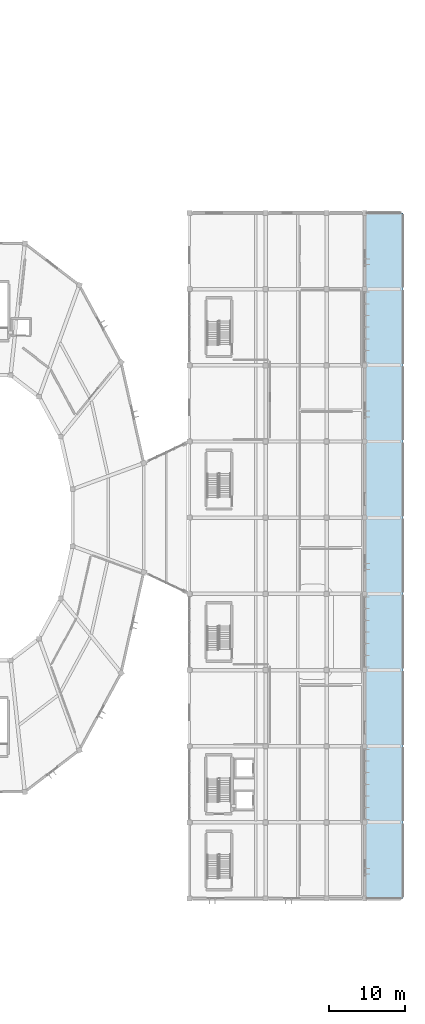
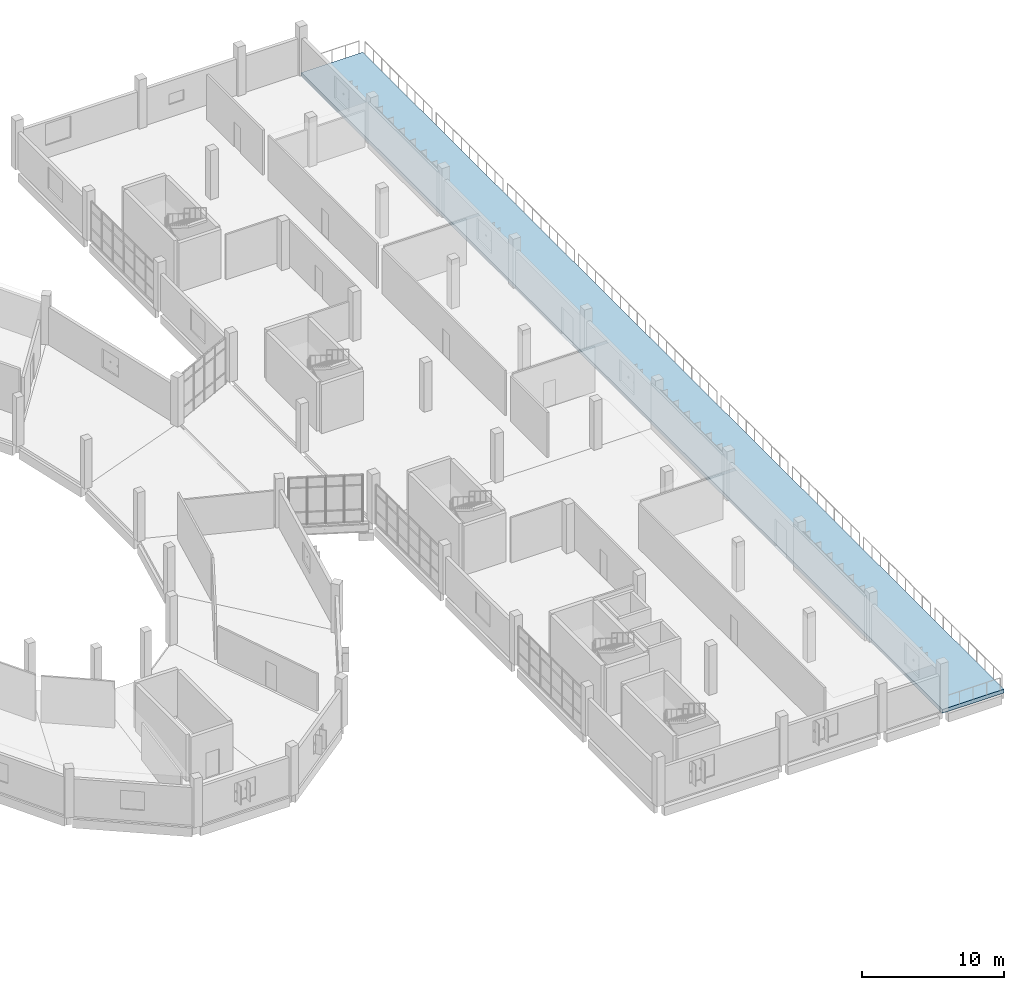
# One storey, part 89 of 142: 1 slab.
"""IFC4 building model written with IfcOpenShell, lengths in metres."""

from ifc_helpers import new_model, si_unit, direction, frame, origin, place, context, subcontext, project, spatial, polyline, outline, extrude, material, layer, layer_set, type_object, element, save


model = new_model("IFC4")

# Units and contexts
model_context = context("Model", 3, precision=1e-05, world=origin(), true_north=direction((0.0, 1.0)))
body_context = subcontext(model_context, "Body", "Model", "MODEL_VIEW")
ifc_project = project(units=[si_unit("LENGTHUNIT", "METRE"), si_unit("AREAUNIT", "SQUARE_METRE"), si_unit("VOLUMEUNIT", "CUBIC_METRE"), si_unit("PLANEANGLEUNIT", "RADIAN"), si_unit("MASSUNIT", "GRAM", prefix="KILO")], contexts=[model_context])

# Site, building, storey
site_placement = place(None, origin())
site = spatial("IfcSite", under=ifc_project, at=site_placement, CompositionType="ELEMENT")
building_placement = place(site_placement, origin())
building = spatial("IfcBuilding", under=site, at=building_placement, Name="Corvandel Quay Wholesale Market", CompositionType="ELEMENT")
storey_placement = place(building_placement, frame((0.0, 0.0, 10.800048828125)))
storey = spatial("IfcBuildingStorey", under=building, at=storey_placement, Name="L02", CompositionType="ELEMENT", Elevation=10.800048828125)

# Slab
ifc_material = material(Name="Concrete C40/50", Category="concrete")
ifc_layer = layer(ifc_material, 0.320068359375)
ifc_layer_set = layer_set([ifc_layer], Name="Concrete C40/50")
slab_type = type_object("IfcSlabType", Name="Planted Roof Garden Terrace Slab 320", PredefinedType="FLOOR", material=ifc_layer_set)
slab_placement = place(storey_placement, frame((0.0, 0.0, -0.320068359375)))
element("IfcSlab", 1, at=slab_placement, inside=storey, type_object=slab_type, Name="Slab SLB-0468", PredefinedType="FLOOR", context=body_context, shape_type="SweptSolid", body=[
    extrude(outline(polyline([(243.0, 10.0), (248.0, 10.0), (248.0, 100.0), (243.0, 100.0), (243.0, 10.0)])), origin(), (0.0, 0.0, 1.0), 0.320068359375),
])

save(model, "model.ifc")
